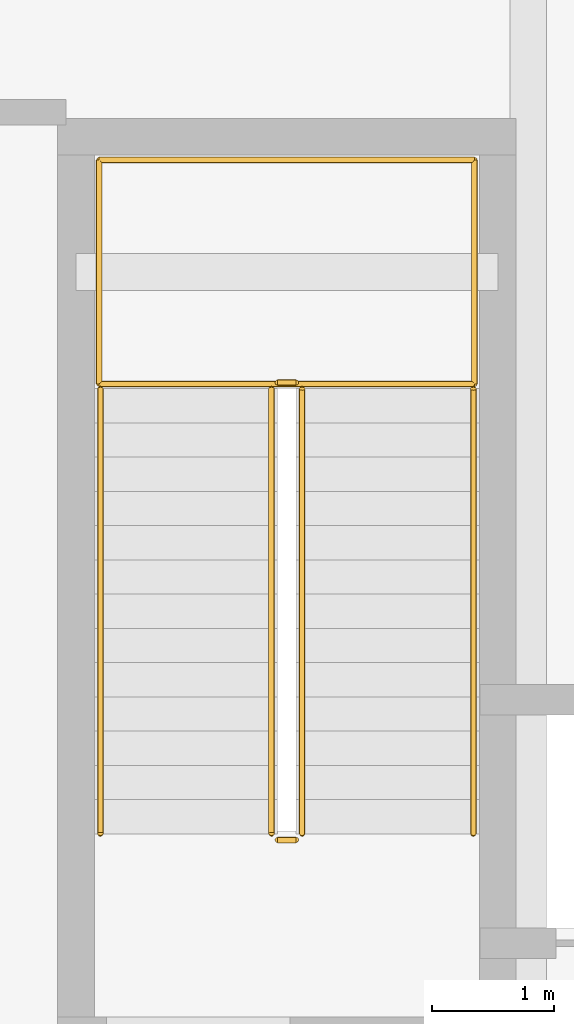
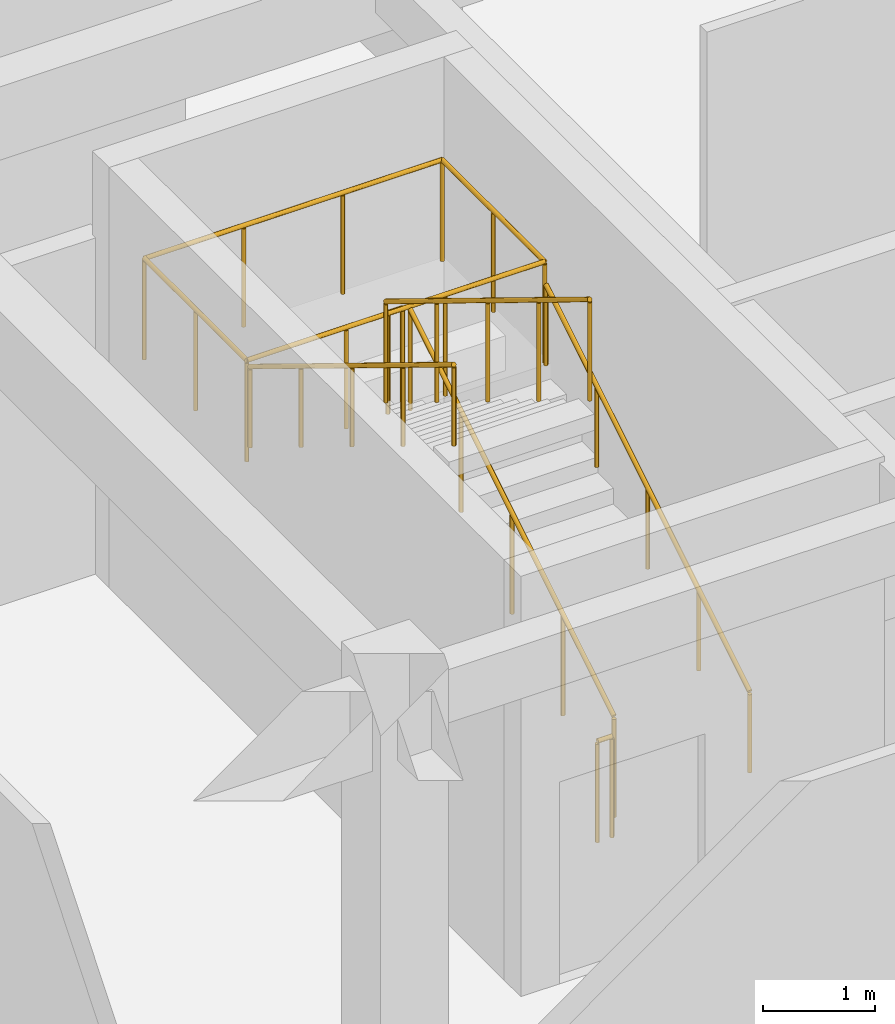
# One storey, part 65 of 65: 8 railings.
"""IFC4 building model written with IfcOpenShell, lengths in metres."""

from ifc_helpers import new_model, si_unit, direction, frame, origin, origin_2d, place, context, subcontext, project, spatial, circle, extrude, material, type_object, element, save


model = new_model("IFC4")

# Units and contexts
model_context = context("Model", 3, precision=1e-05, world=origin(), true_north=direction((0.0, 1.0)))
body_context = subcontext(model_context, "Body", "Model", "MODEL_VIEW")
ifc_project = project(units=[si_unit("LENGTHUNIT", "METRE"), si_unit("AREAUNIT", "SQUARE_METRE"), si_unit("VOLUMEUNIT", "CUBIC_METRE"), si_unit("PLANEANGLEUNIT", "RADIAN"), si_unit("MASSUNIT", "GRAM", prefix="KILO")], contexts=[model_context])

# Site, building, storey
site_placement = place(None, origin())
site = spatial("IfcSite", under=ifc_project, at=site_placement, CompositionType="ELEMENT")
building_placement = place(site_placement, origin())
building = spatial("IfcBuilding", under=site, at=building_placement, Name="Miralva Faculty of Natural Sciences", CompositionType="ELEMENT")
storey_placement = place(building_placement, frame((0.0, 0.0, 10.199951171875)))
storey = spatial("IfcBuildingStorey", under=building, at=storey_placement, Name="L02", CompositionType="ELEMENT", Elevation=10.199951171875)

# Railings
ifc_material = material(Name="Steel S355", Category="steel")
railing_type_1 = type_object("IfcRailingType", Name="RL-GR01", PredefinedType="GUARDRAIL", material=ifc_material)
railing_1_placement = place(storey_placement, frame((148.89990234375, 48.10009765625, 0.17138671875)))
element("IfcRailing", 1, at=railing_1_placement, inside=storey, type_object=railing_type_1, Name="Stair Core C4 safety guard L02-1", PredefinedType="GUARDRAIL", context=body_context, shape_type="SweptSolid", body=[
    extrude(circle(Radius=0.02392578125, at=origin_2d()), frame((0.0, 0.0, 1.09619140625), z_axis=(0.0, 0.852824790078, 0.522197163366), x_axis=(-1.0, 0.0, 0.0)), (0.0, 0.0, 1.0), 4.26806640625),
    extrude(circle(Radius=0.02099609375, at=origin_2d()), origin(), (0.0, 0.0, 1.0), 1.072021484375),
    extrude(circle(Radius=0.02099609375, at=origin_2d()), frame((0.0, 0.909912109375, 0.55712890625)), (0.0, 0.0, 1.0), 1.072021484375),
    extrude(circle(Radius=0.02099609375, at=origin_2d()), frame((0.0, 1.81982421875, 1.1142578125)), (0.0, 0.0, 1.0), 1.072021484375),
    extrude(circle(Radius=0.02099609375, at=origin_2d()), frame((0.0, 2.72998046875, 1.671630859375)), (0.0, 0.0, 1.0), 1.072021484375),
    extrude(circle(Radius=0.02099609375, at=origin_2d()), frame((0.0, 3.639892578125, 2.228759765625)), (0.0, 0.0, 1.0), 1.072021484375),
])
railing_2_placement = place(storey_placement, frame((148.85009765625, 51.7900390625, 2.400146484375)))
element("IfcRailing", 2, at=railing_2_placement, inside=storey, type_object=railing_type_1, Name="Stair Core C4 safety guard L02-2", PredefinedType="GUARDRAIL", context=body_context, shape_type="SweptSolid", body=[
    extrude(circle(Radius=0.02392578125, at=origin_2d()), frame((0.0, 0.0, 1.09619140625), z_axis=(-1.0, 0.0, 0.0), x_axis=(0.0, -1.0, 0.0)), (0.0, 0.0, 1.0), 0.150146484375),
    extrude(circle(Radius=0.02099609375, at=origin_2d()), origin(), (0.0, 0.0, 1.0), 1.072021484375),
    extrude(circle(Radius=0.02099609375, at=origin_2d()), frame((-0.150146484375, 0.0, 0.0)), (0.0, 0.0, 1.0), 1.072021484375),
])
railing_3_placement = place(storey_placement, frame((148.64990234375, 51.739990234375, 2.571533203125)))
element("IfcRailing", 3, at=railing_3_placement, inside=storey, type_object=railing_type_1, Name="Stair Core C4 safety guard L02-3", PredefinedType="GUARDRAIL", context=body_context, shape_type="SweptSolid", body=[
    extrude(circle(Radius=0.02392578125, at=origin_2d()), frame((0.0, 0.0, 1.09619140625), z_axis=(0.0, -0.852850264322, 0.5221555579), x_axis=(1.0, 0.0, 0.0)), (0.0, 0.0, 1.0), 4.267822265625),
    extrude(circle(Radius=0.02099609375, at=origin_2d()), origin(), (0.0, 0.0, 1.0), 1.072021484375),
    extrude(circle(Radius=0.02099609375, at=origin_2d()), frame((0.0, -0.909912109375, 0.55712890625)), (0.0, 0.0, 1.0), 1.072021484375),
    extrude(circle(Radius=0.02099609375, at=origin_2d()), frame((0.0, -1.81982421875, 1.1142578125)), (0.0, 0.0, 1.0), 1.072021484375),
    extrude(circle(Radius=0.02099609375, at=origin_2d()), frame((0.0, -2.72998046875, 1.67138671875)), (0.0, 0.0, 1.0), 1.072021484375),
    extrude(circle(Radius=0.02099609375, at=origin_2d()), frame((0.0, -3.639892578125, 2.228515625)), (0.0, 0.0, 1.0), 1.072021484375),
])
railing_4_placement = place(storey_placement, frame((148.85009765625, 48.050048828125, 0.0)))
element("IfcRailing", 4, at=railing_4_placement, inside=storey, type_object=railing_type_1, Name="Stair Core C4 safety guard L02-4", PredefinedType="GUARDRAIL", context=body_context, shape_type="SweptSolid", body=[
    extrude(circle(Radius=0.02392578125, at=origin_2d()), frame((0.0, 0.0, 1.09619140625), z_axis=(-1.0, 0.0, 0.0), x_axis=(0.0, -1.0, 0.0)), (0.0, 0.0, 1.0), 0.150146484375),
    extrude(circle(Radius=0.02099609375, at=origin_2d()), origin(), (0.0, 0.0, 1.0), 1.072021484375),
    extrude(circle(Radius=0.02099609375, at=origin_2d()), frame((-0.150146484375, 0.0, 0.0)), (0.0, 0.0, 1.0), 1.072021484375),
])
railing_5_placement = place(storey_placement, frame((147.239990234375, 51.780029296875, 2.400146484375)))
element("IfcRailing", 5, at=railing_5_placement, inside=storey, type_object=railing_type_1, Name="Stair Core C4 half-landing guard L02-1A", PredefinedType="GUARDRAIL", context=body_context, shape_type="SweptSolid", body=[
    extrude(circle(Radius=0.02392578125, at=origin_2d()), frame((0.0, 0.0, 1.09619140625), z_axis=(0.0, 1.0, 0.0), x_axis=(-1.0, 0.0, 0.0)), (0.0, 0.0, 1.0), 1.830078125),
    extrude(circle(Radius=0.02392578125, at=origin_2d()), frame((0.0, 1.830078125, 1.09619140625), z_axis=(1.0, 0.0, 0.0), x_axis=(0.0, 1.0, 0.0)), (0.0, 0.0, 1.0), 3.070068359375),
    extrude(circle(Radius=0.02099609375, at=origin_2d()), origin(), (0.0, 0.0, 1.0), 1.072021484375),
    extrude(circle(Radius=0.02099609375, at=origin_2d()), frame((0.0, 0.9150390625, 0.0)), (0.0, 0.0, 1.0), 1.072021484375),
    extrude(circle(Radius=0.02099609375, at=origin_2d()), frame((0.0, 1.830078125, 0.0)), (0.0, 0.0, 1.0), 1.072021484375),
    extrude(circle(Radius=0.02099609375, at=origin_2d()), frame((1.0234375, 1.830078125, 0.0)), (0.0, 0.0, 1.0), 1.072021484375),
    extrude(circle(Radius=0.02099609375, at=origin_2d()), frame((2.046630859375, 1.830078125, 0.0)), (0.0, 0.0, 1.0), 1.072021484375),
    extrude(circle(Radius=0.02099609375, at=origin_2d()), frame((3.070068359375, 1.830078125, 0.0)), (0.0, 0.0, 1.0), 1.072021484375),
])
railing_6_placement = place(storey_placement, frame((150.31005859375, 53.610107421875, 2.400146484375)))
element("IfcRailing", 6, at=railing_6_placement, inside=storey, type_object=railing_type_1, Name="Stair Core C4 half-landing guard L02-1B", PredefinedType="GUARDRAIL", context=body_context, shape_type="SweptSolid", body=[
    extrude(circle(Radius=0.02392578125, at=origin_2d()), frame((0.0, 0.0, 1.09619140625), z_axis=(0.0, -1.0, 0.0), x_axis=(1.0, 0.0, 0.0)), (0.0, 0.0, 1.0), 1.830078125),
    extrude(circle(Radius=0.02392578125, at=origin_2d()), frame((0.0, -1.830078125, 1.09619140625), z_axis=(-1.0, 0.0, 0.0), x_axis=(0.0, -1.0, 0.0)), (0.0, 0.0, 1.0), 3.070068359375),
    extrude(circle(Radius=0.02099609375, at=origin_2d()), origin(), (0.0, 0.0, 1.0), 1.072021484375),
    extrude(circle(Radius=0.02099609375, at=origin_2d()), frame((0.0, -0.9150390625, 0.0)), (0.0, 0.0, 1.0), 1.072021484375),
    extrude(circle(Radius=0.02099609375, at=origin_2d()), frame((0.0, -1.830078125, 0.0)), (0.0, 0.0, 1.0), 1.072021484375),
    extrude(circle(Radius=0.02099609375, at=origin_2d()), frame((-1.0234375, -1.830078125, 0.0)), (0.0, 0.0, 1.0), 1.072021484375),
    extrude(circle(Radius=0.02099609375, at=origin_2d()), frame((-2.046630859375, -1.830078125, 0.0)), (0.0, 0.0, 1.0), 1.072021484375),
    extrude(circle(Radius=0.02099609375, at=origin_2d()), frame((-3.070068359375, -1.830078125, 0.0)), (0.0, 0.0, 1.0), 1.072021484375),
])
railing_type_2 = type_object("IfcRailingType", Name="RL-HR01", PredefinedType="HANDRAIL", material=ifc_material)
railing_7_placement = place(storey_placement, frame((150.300048828125, 48.10009765625, 0.17138671875)))
element("IfcRailing", 7, at=railing_7_placement, inside=storey, type_object=railing_type_2, Name="Stair Core C4 handrail L02-1", PredefinedType="HANDRAIL", context=body_context, shape_type="SweptSolid", body=[
    extrude(circle(Radius=0.02392578125, at=origin_2d()), frame((0.0, 0.0, 0.8759765625), z_axis=(0.0, 0.852824790078, 0.522197163366), x_axis=(-1.0, 0.0, 0.0)), (0.0, 0.0, 1.0), 4.26806640625),
    extrude(circle(Radius=0.02099609375, at=origin_2d()), origin(), (0.0, 0.0, 1.0), 0.851806640625),
    extrude(circle(Radius=0.02099609375, at=origin_2d()), frame((0.0, 0.909912109375, 0.55712890625)), (0.0, 0.0, 1.0), 0.851806640625),
    extrude(circle(Radius=0.02099609375, at=origin_2d()), frame((0.0, 1.81982421875, 1.1142578125)), (0.0, 0.0, 1.0), 0.851806640625),
    extrude(circle(Radius=0.02099609375, at=origin_2d()), frame((0.0, 2.72998046875, 1.671630859375)), (0.0, 0.0, 1.0), 0.851806640625),
    extrude(circle(Radius=0.02099609375, at=origin_2d()), frame((0.0, 3.639892578125, 2.228759765625)), (0.0, 0.0, 1.0), 0.851806640625),
])
railing_8_placement = place(storey_placement, frame((147.25, 51.739990234375, 2.571533203125)))
element("IfcRailing", 8, at=railing_8_placement, inside=storey, type_object=railing_type_2, Name="Stair Core C4 handrail L02-2", PredefinedType="HANDRAIL", context=body_context, shape_type="SweptSolid", body=[
    extrude(circle(Radius=0.02392578125, at=origin_2d()), frame((0.0, 0.0, 0.8759765625), z_axis=(0.0, -0.852850264322, 0.5221555579), x_axis=(1.0, 0.0, 0.0)), (0.0, 0.0, 1.0), 4.267822265625),
    extrude(circle(Radius=0.02099609375, at=origin_2d()), origin(), (0.0, 0.0, 1.0), 0.851806640625),
    extrude(circle(Radius=0.02099609375, at=origin_2d()), frame((0.0, -0.909912109375, 0.55712890625)), (0.0, 0.0, 1.0), 0.851806640625),
    extrude(circle(Radius=0.02099609375, at=origin_2d()), frame((0.0, -1.81982421875, 1.1142578125)), (0.0, 0.0, 1.0), 0.851806640625),
    extrude(circle(Radius=0.02099609375, at=origin_2d()), frame((0.0, -2.72998046875, 1.67138671875)), (0.0, 0.0, 1.0), 0.851806640625),
    extrude(circle(Radius=0.02099609375, at=origin_2d()), frame((0.0, -3.639892578125, 2.228515625)), (0.0, 0.0, 1.0), 0.851806640625),
])

save(model, "model.ifc")
